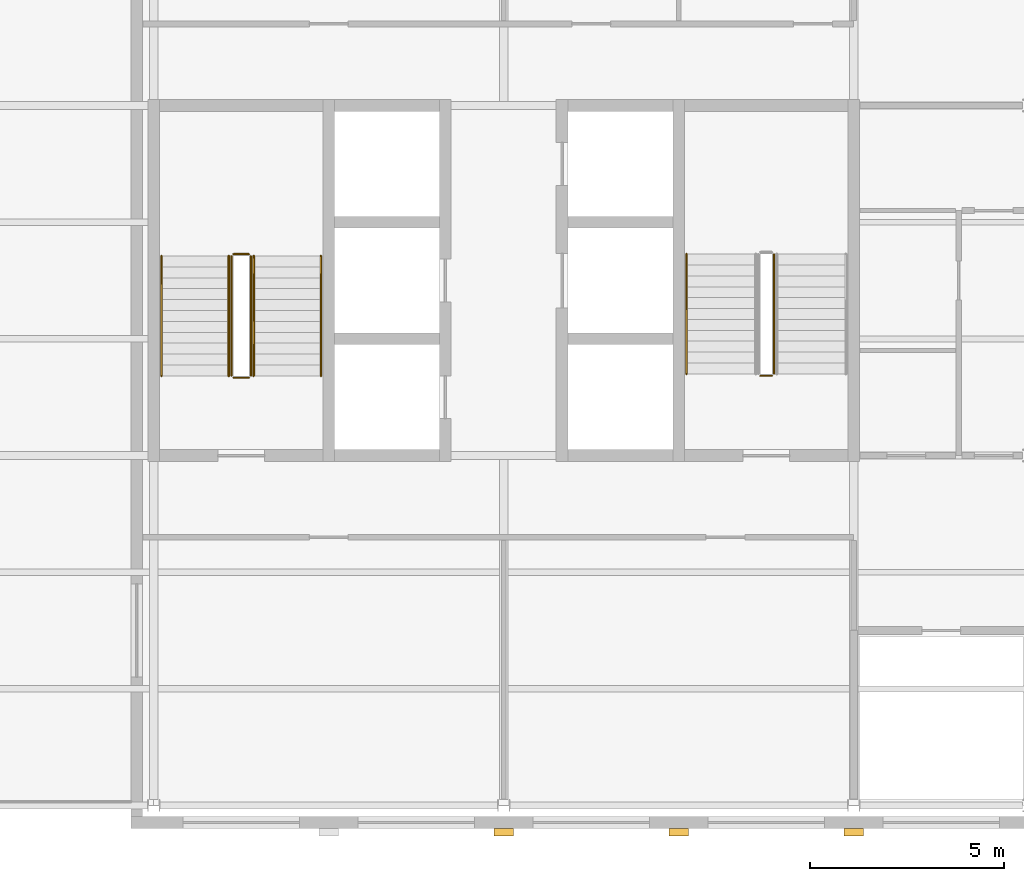
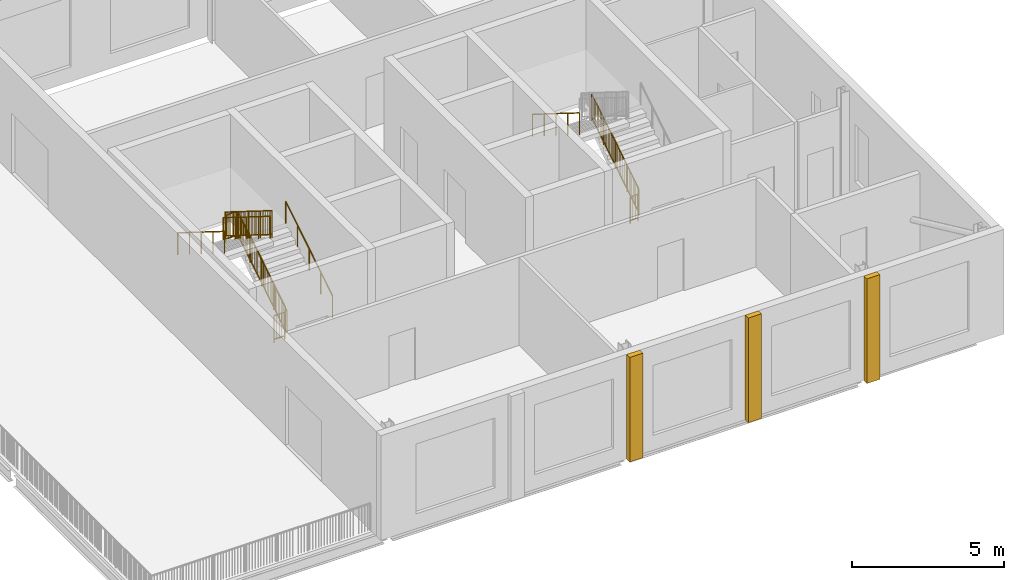
# One storey, part 6 of 7: 11 railings, 3 coverings.
"""IFC4 building model written with IfcOpenShell, lengths in metres."""

from ifc_helpers import new_model, si_unit, direction, frame, origin, origin_2d, place, context, subcontext, project, spatial, rectangle, circle, extrude, material, layer, layer_set, type_object, element, save


model = new_model("IFC4")

# Units and contexts
model_context = context("Model", 3, precision=1e-05, world=origin(), true_north=direction((0.0, 1.0)))
body_context = subcontext(model_context, "Body", "Model", "MODEL_VIEW")
ifc_project = project(units=[si_unit("LENGTHUNIT", "METRE"), si_unit("AREAUNIT", "SQUARE_METRE"), si_unit("VOLUMEUNIT", "CUBIC_METRE"), si_unit("PLANEANGLEUNIT", "RADIAN"), si_unit("MASSUNIT", "GRAM", prefix="KILO")], contexts=[model_context])

# Site, building, storey
site_placement = place(None, origin())
site = spatial("IfcSite", under=ifc_project, at=site_placement, CompositionType="ELEMENT")
building_placement = place(site_placement, origin())
building = spatial("IfcBuilding", under=site, at=building_placement, Name="Hortulan Conservatory and Botanical Research Centre", CompositionType="ELEMENT")
storey_placement = place(building_placement, frame((0.0, 0.0, 61.199951171875)))
storey = spatial("IfcBuildingStorey", under=building, at=storey_placement, Name="L14", CompositionType="ELEMENT", Elevation=61.199951171875)

# Railings
ifc_material_1 = material(Name="Steel balustrade, bronze-charcoal paint", Category="steel")
railing_type_1 = type_object("IfcRailingType", Name="Stair Guard 1100", PredefinedType="GUARDRAIL", material=ifc_material_1)
railing_1_placement = place(storey_placement, frame((11.5, 11.050048828125, 0.175048828125)))
element("IfcRailing", 1, at=railing_1_placement, inside=storey, type_object=railing_type_1, Name="Guard T1 L14 stair 1", PredefinedType="GUARDRAIL", context=body_context, shape_type="SweptSolid", body=[
    extrude(circle(Radius=0.02392578125, at=origin_2d()), frame((0.0, 0.0, 1.076171875), z_axis=(0.0, 0.847979421464, 0.530029150871), x_axis=(-1.0, 0.0, 0.0)), (0.0, 0.0, 1.0), 3.632080078125),
    extrude(circle(Radius=0.02392578125, at=origin_2d()), frame((0.0, 0.0, 0.1240234375), z_axis=(0.0, 0.847979421464, 0.530029150871), x_axis=(-1.0, 0.0, 0.0)), (0.0, 0.0, 1.0), 3.632080078125),
    extrude(circle(Radius=0.008056640625, at=origin_2d()), frame((0.0, 0.090576171875, 0.204833984375)), (0.0, 0.0, 1.0), 0.90380859375),
    extrude(circle(Radius=0.008056640625, at=origin_2d()), frame((0.0, 0.18115234375, 0.261474609375)), (0.0, 0.0, 1.0), 0.90380859375),
    extrude(circle(Radius=0.008056640625, at=origin_2d()), frame((0.0, 0.271728515625, 0.318115234375)), (0.0, 0.0, 1.0), 0.90380859375),
    extrude(circle(Radius=0.008056640625, at=origin_2d()), frame((0.0, 0.3623046875, 0.374755859375)), (0.0, 0.0, 1.0), 0.90380859375),
    extrude(circle(Radius=0.008056640625, at=origin_2d()), frame((0.0, 0.452880859375, 0.431396484375)), (0.0, 0.0, 1.0), 0.90380859375),
    extrude(circle(Radius=0.008056640625, at=origin_2d()), frame((0.0, 0.54345703125, 0.48779296875)), (0.0, 0.0, 1.0), 0.90380859375),
    extrude(circle(Radius=0.008056640625, at=origin_2d()), frame((0.0, 0.634033203125, 0.54443359375)), (0.0, 0.0, 1.0), 0.90380859375),
    extrude(circle(Radius=0.008056640625, at=origin_2d()), frame((0.0, 0.724609375, 0.60107421875)), (0.0, 0.0, 1.0), 0.90380859375),
    extrude(circle(Radius=0.008056640625, at=origin_2d()), frame((0.0, 0.815185546875, 0.65771484375)), (0.0, 0.0, 1.0), 0.90380859375),
    extrude(circle(Radius=0.008056640625, at=origin_2d()), frame((0.0, 0.90576171875, 0.71435546875)), (0.0, 0.0, 1.0), 0.90380859375),
    extrude(circle(Radius=0.008056640625, at=origin_2d()), frame((0.0, 0.996337890625, 0.77099609375)), (0.0, 0.0, 1.0), 0.90380859375),
    extrude(circle(Radius=0.008056640625, at=origin_2d()), frame((0.0, 1.0869140625, 0.82763671875)), (0.0, 0.0, 1.0), 0.90380859375),
    extrude(circle(Radius=0.008056640625, at=origin_2d()), frame((0.0, 1.177490234375, 0.88427734375)), (0.0, 0.0, 1.0), 0.90380859375),
    extrude(circle(Radius=0.008056640625, at=origin_2d()), frame((0.0, 1.26806640625, 0.94091796875)), (0.0, 0.0, 1.0), 0.90380859375),
    extrude(circle(Radius=0.008056640625, at=origin_2d()), frame((0.0, 1.358642578125, 0.99755859375)), (0.0, 0.0, 1.0), 0.90380859375),
    extrude(circle(Radius=0.008056640625, at=origin_2d()), frame((0.0, 1.44921875, 1.05419921875)), (0.0, 0.0, 1.0), 0.90380859375),
    extrude(circle(Radius=0.008056640625, at=origin_2d()), frame((0.0, 1.5400390625, 1.11083984375)), (0.0, 0.0, 1.0), 0.90380859375),
    extrude(circle(Radius=0.008056640625, at=origin_2d()), frame((0.0, 1.630615234375, 1.167236328125)), (0.0, 0.0, 1.0), 0.90380859375),
    extrude(circle(Radius=0.008056640625, at=origin_2d()), frame((0.0, 1.72119140625, 1.223876953125)), (0.0, 0.0, 1.0), 0.90380859375),
    extrude(circle(Radius=0.008056640625, at=origin_2d()), frame((0.0, 1.811767578125, 1.280517578125)), (0.0, 0.0, 1.0), 0.90380859375),
    extrude(circle(Radius=0.008056640625, at=origin_2d()), frame((0.0, 1.90234375, 1.337158203125)), (0.0, 0.0, 1.0), 0.90380859375),
    extrude(circle(Radius=0.008056640625, at=origin_2d()), frame((0.0, 1.992919921875, 1.393798828125)), (0.0, 0.0, 1.0), 0.90380859375),
    extrude(circle(Radius=0.008056640625, at=origin_2d()), frame((0.0, 2.08349609375, 1.450439453125)), (0.0, 0.0, 1.0), 0.90380859375),
    extrude(circle(Radius=0.008056640625, at=origin_2d()), frame((0.0, 2.174072265625, 1.507080078125)), (0.0, 0.0, 1.0), 0.90380859375),
    extrude(circle(Radius=0.008056640625, at=origin_2d()), frame((0.0, 2.2646484375, 1.563720703125)), (0.0, 0.0, 1.0), 0.90380859375),
    extrude(circle(Radius=0.008056640625, at=origin_2d()), frame((0.0, 2.355224609375, 1.620361328125)), (0.0, 0.0, 1.0), 0.90380859375),
    extrude(circle(Radius=0.008056640625, at=origin_2d()), frame((0.0, 2.44580078125, 1.677001953125)), (0.0, 0.0, 1.0), 0.90380859375),
    extrude(circle(Radius=0.008056640625, at=origin_2d()), frame((0.0, 2.536376953125, 1.733642578125)), (0.0, 0.0, 1.0), 0.90380859375),
    extrude(circle(Radius=0.008056640625, at=origin_2d()), frame((0.0, 2.626953125, 1.7900390625)), (0.0, 0.0, 1.0), 0.90380859375),
    extrude(circle(Radius=0.008056640625, at=origin_2d()), frame((0.0, 2.717529296875, 1.8466796875)), (0.0, 0.0, 1.0), 0.90380859375),
    extrude(circle(Radius=0.008056640625, at=origin_2d()), frame((0.0, 2.80810546875, 1.9033203125)), (0.0, 0.0, 1.0), 0.90380859375),
    extrude(circle(Radius=0.008056640625, at=origin_2d()), frame((0.0, 2.898681640625, 1.9599609375)), (0.0, 0.0, 1.0), 0.90380859375),
    extrude(circle(Radius=0.008056640625, at=origin_2d()), frame((0.0, 2.9892578125, 2.0166015625)), (0.0, 0.0, 1.0), 0.90380859375),
    extrude(circle(Radius=0.02099609375, at=origin_2d()), origin(), (0.0, 0.0, 1.0), 1.052001953125),
    extrude(circle(Radius=0.02099609375, at=origin_2d()), frame((0.0, 0.77001953125, 0.481201171875)), (0.0, 0.0, 1.0), 1.052001953125),
    extrude(circle(Radius=0.02099609375, at=origin_2d()), frame((0.0, 1.5400390625, 0.96240234375)), (0.0, 0.0, 1.0), 1.052001953125),
    extrude(circle(Radius=0.02099609375, at=origin_2d()), frame((0.0, 2.309814453125, 1.44384765625)), (0.0, 0.0, 1.0), 1.052001953125),
    extrude(circle(Radius=0.02099609375, at=origin_2d()), frame((0.0, 3.079833984375, 1.925048828125)), (0.0, 0.0, 1.0), 1.052001953125),
])
railing_2_placement = place(storey_placement, frame((11.449951171875, 14.179931640625, 2.10009765625)))
element("IfcRailing", 2, at=railing_2_placement, inside=storey, type_object=railing_type_1, Name="Guard T1 L14 stair 2", PredefinedType="GUARDRAIL", context=body_context, shape_type="SweptSolid", body=[
    extrude(circle(Radius=0.02392578125, at=origin_2d()), frame((0.0, 0.0, 1.076171875), z_axis=(-1.0, 0.0, 0.0), x_axis=(0.0, -1.0, 0.0)), (0.0, 0.0, 1.0), 0.39990234375),
    extrude(circle(Radius=0.02392578125, at=origin_2d()), frame((0.0, 0.0, 0.1240234375), z_axis=(-1.0, 0.0, 0.0), x_axis=(0.0, -1.0, 0.0)), (0.0, 0.0, 1.0), 0.39990234375),
    extrude(circle(Radius=0.008056640625, at=origin_2d()), frame((-0.10009765625, 0.0, 0.148193359375)), (0.0, 0.0, 1.0), 0.90380859375),
    extrude(circle(Radius=0.008056640625, at=origin_2d()), frame((-0.199951171875, 0.0, 0.148193359375)), (0.0, 0.0, 1.0), 0.90380859375),
    extrude(circle(Radius=0.008056640625, at=origin_2d()), frame((-0.2998046875, 0.0, 0.148193359375)), (0.0, 0.0, 1.0), 0.90380859375),
    extrude(circle(Radius=0.02099609375, at=origin_2d()), origin(), (0.0, 0.0, 1.0), 1.052001953125),
    extrude(circle(Radius=0.02099609375, at=origin_2d()), frame((-0.39990234375, 0.0, 0.0)), (0.0, 0.0, 1.0), 1.052001953125),
])
railing_3_placement = place(storey_placement, frame((11.0, 14.1298828125, 2.275146484375)))
element("IfcRailing", 3, at=railing_3_placement, inside=storey, type_object=railing_type_1, Name="Guard T1 L14 stair 3", PredefinedType="GUARDRAIL", context=body_context, shape_type="SweptSolid", body=[
    extrude(circle(Radius=0.02392578125, at=origin_2d()), frame((0.0, 0.0, 1.076171875), z_axis=(0.0, -0.848009633417, 0.529980812513), x_axis=(1.0, 0.0, 0.0)), (0.0, 0.0, 1.0), 3.6318359375),
    extrude(circle(Radius=0.02392578125, at=origin_2d()), frame((0.0, 0.0, 0.1240234375), z_axis=(0.0, -0.848009633417, 0.529980812513), x_axis=(1.0, 0.0, 0.0)), (0.0, 0.0, 1.0), 3.6318359375),
    extrude(circle(Radius=0.008056640625, at=origin_2d()), frame((0.0, -0.090576171875, 0.204833984375)), (0.0, 0.0, 1.0), 0.90380859375),
    extrude(circle(Radius=0.008056640625, at=origin_2d()), frame((0.0, -0.18115234375, 0.261474609375)), (0.0, 0.0, 1.0), 0.90380859375),
    extrude(circle(Radius=0.008056640625, at=origin_2d()), frame((0.0, -0.271728515625, 0.318115234375)), (0.0, 0.0, 1.0), 0.90380859375),
    extrude(circle(Radius=0.008056640625, at=origin_2d()), frame((0.0, -0.3623046875, 0.374755859375)), (0.0, 0.0, 1.0), 0.90380859375),
    extrude(circle(Radius=0.008056640625, at=origin_2d()), frame((0.0, -0.452880859375, 0.43115234375)), (0.0, 0.0, 1.0), 0.90380859375),
    extrude(circle(Radius=0.008056640625, at=origin_2d()), frame((0.0, -0.54345703125, 0.48779296875)), (0.0, 0.0, 1.0), 0.90380859375),
    extrude(circle(Radius=0.008056640625, at=origin_2d()), frame((0.0, -0.634033203125, 0.54443359375)), (0.0, 0.0, 1.0), 0.90380859375),
    extrude(circle(Radius=0.008056640625, at=origin_2d()), frame((0.0, -0.724609375, 0.60107421875)), (0.0, 0.0, 1.0), 0.90380859375),
    extrude(circle(Radius=0.008056640625, at=origin_2d()), frame((0.0, -0.815185546875, 0.65771484375)), (0.0, 0.0, 1.0), 0.90380859375),
    extrude(circle(Radius=0.008056640625, at=origin_2d()), frame((0.0, -0.90576171875, 0.71435546875)), (0.0, 0.0, 1.0), 0.90380859375),
    extrude(circle(Radius=0.008056640625, at=origin_2d()), frame((0.0, -0.996337890625, 0.77099609375)), (0.0, 0.0, 1.0), 0.90380859375),
    extrude(circle(Radius=0.008056640625, at=origin_2d()), frame((0.0, -1.0869140625, 0.82763671875)), (0.0, 0.0, 1.0), 0.90380859375),
    extrude(circle(Radius=0.008056640625, at=origin_2d()), frame((0.0, -1.177490234375, 0.884033203125)), (0.0, 0.0, 1.0), 0.90380859375),
    extrude(circle(Radius=0.008056640625, at=origin_2d()), frame((0.0, -1.26806640625, 0.940673828125)), (0.0, 0.0, 1.0), 0.90380859375),
    extrude(circle(Radius=0.008056640625, at=origin_2d()), frame((0.0, -1.358642578125, 0.997314453125)), (0.0, 0.0, 1.0), 0.90380859375),
    extrude(circle(Radius=0.008056640625, at=origin_2d()), frame((0.0, -1.44921875, 1.053955078125)), (0.0, 0.0, 1.0), 0.90380859375),
    extrude(circle(Radius=0.008056640625, at=origin_2d()), frame((0.0, -1.5400390625, 1.110595703125)), (0.0, 0.0, 1.0), 0.90380859375),
    extrude(circle(Radius=0.008056640625, at=origin_2d()), frame((0.0, -1.630615234375, 1.167236328125)), (0.0, 0.0, 1.0), 0.90380859375),
    extrude(circle(Radius=0.008056640625, at=origin_2d()), frame((0.0, -1.72119140625, 1.223876953125)), (0.0, 0.0, 1.0), 0.90380859375),
    extrude(circle(Radius=0.008056640625, at=origin_2d()), frame((0.0, -1.811767578125, 1.280517578125)), (0.0, 0.0, 1.0), 0.90380859375),
    extrude(circle(Radius=0.008056640625, at=origin_2d()), frame((0.0, -1.90234375, 1.337158203125)), (0.0, 0.0, 1.0), 0.90380859375),
    extrude(circle(Radius=0.008056640625, at=origin_2d()), frame((0.0, -1.992919921875, 1.3935546875)), (0.0, 0.0, 1.0), 0.90380859375),
    extrude(circle(Radius=0.008056640625, at=origin_2d()), frame((0.0, -2.08349609375, 1.4501953125)), (0.0, 0.0, 1.0), 0.90380859375),
    extrude(circle(Radius=0.008056640625, at=origin_2d()), frame((0.0, -2.174072265625, 1.5068359375)), (0.0, 0.0, 1.0), 0.90380859375),
    extrude(circle(Radius=0.008056640625, at=origin_2d()), frame((0.0, -2.2646484375, 1.5634765625)), (0.0, 0.0, 1.0), 0.90380859375),
    extrude(circle(Radius=0.008056640625, at=origin_2d()), frame((0.0, -2.355224609375, 1.6201171875)), (0.0, 0.0, 1.0), 0.90380859375),
    extrude(circle(Radius=0.008056640625, at=origin_2d()), frame((0.0, -2.44580078125, 1.6767578125)), (0.0, 0.0, 1.0), 0.90380859375),
    extrude(circle(Radius=0.008056640625, at=origin_2d()), frame((0.0, -2.536376953125, 1.7333984375)), (0.0, 0.0, 1.0), 0.90380859375),
    extrude(circle(Radius=0.008056640625, at=origin_2d()), frame((0.0, -2.626953125, 1.7900390625)), (0.0, 0.0, 1.0), 0.90380859375),
    extrude(circle(Radius=0.008056640625, at=origin_2d()), frame((0.0, -2.717529296875, 1.846435546875)), (0.0, 0.0, 1.0), 0.90380859375),
    extrude(circle(Radius=0.008056640625, at=origin_2d()), frame((0.0, -2.80810546875, 1.903076171875)), (0.0, 0.0, 1.0), 0.90380859375),
    extrude(circle(Radius=0.008056640625, at=origin_2d()), frame((0.0, -2.898681640625, 1.959716796875)), (0.0, 0.0, 1.0), 0.90380859375),
    extrude(circle(Radius=0.008056640625, at=origin_2d()), frame((0.0, -2.9892578125, 2.016357421875)), (0.0, 0.0, 1.0), 0.90380859375),
    extrude(circle(Radius=0.02099609375, at=origin_2d()), origin(), (0.0, 0.0, 1.0), 1.052001953125),
    extrude(circle(Radius=0.02099609375, at=origin_2d()), frame((0.0, -0.77001953125, 0.481201171875)), (0.0, 0.0, 1.0), 1.052001953125),
    extrude(circle(Radius=0.02099609375, at=origin_2d()), frame((0.0, -1.5400390625, 0.96240234375)), (0.0, 0.0, 1.0), 1.052001953125),
    extrude(circle(Radius=0.02099609375, at=origin_2d()), frame((0.0, -2.309814453125, 1.443603515625)), (0.0, 0.0, 1.0), 1.052001953125),
    extrude(circle(Radius=0.02099609375, at=origin_2d()), frame((0.0, -3.079833984375, 1.9248046875)), (0.0, 0.0, 1.0), 1.052001953125),
])
railing_4_placement = place(storey_placement, frame((11.449951171875, 11.0, 0.0)))
element("IfcRailing", 4, at=railing_4_placement, inside=storey, type_object=railing_type_1, Name="Guard T1 L14 stair 4", PredefinedType="GUARDRAIL", context=body_context, shape_type="SweptSolid", body=[
    extrude(circle(Radius=0.02392578125, at=origin_2d()), frame((0.0, 0.0, 1.076171875), z_axis=(-1.0, 0.0, 0.0), x_axis=(0.0, -1.0, 0.0)), (0.0, 0.0, 1.0), 0.39990234375),
    extrude(circle(Radius=0.02392578125, at=origin_2d()), frame((0.0, 0.0, 0.1240234375), z_axis=(-1.0, 0.0, 0.0), x_axis=(0.0, -1.0, 0.0)), (0.0, 0.0, 1.0), 0.39990234375),
    extrude(circle(Radius=0.008056640625, at=origin_2d()), frame((-0.10009765625, 0.0, 0.148193359375)), (0.0, 0.0, 1.0), 0.90380859375),
    extrude(circle(Radius=0.008056640625, at=origin_2d()), frame((-0.199951171875, 0.0, 0.148193359375)), (0.0, 0.0, 1.0), 0.90380859375),
    extrude(circle(Radius=0.008056640625, at=origin_2d()), frame((-0.2998046875, 0.0, 0.148193359375)), (0.0, 0.0, 1.0), 0.90380859375),
    extrude(circle(Radius=0.02099609375, at=origin_2d()), origin(), (0.0, 0.0, 1.0), 1.052001953125),
    extrude(circle(Radius=0.02099609375, at=origin_2d()), frame((-0.39990234375, 0.0, 0.0)), (0.0, 0.0, 1.0), 1.052001953125),
])
railing_5_placement = place(storey_placement, frame((24.949951171875, 11.10009765625, 0.175048828125)))
element("IfcRailing", 5, at=railing_5_placement, inside=storey, type_object=railing_type_1, Name="Guard T2 L14 stair 1", PredefinedType="GUARDRAIL", context=body_context, shape_type="SweptSolid", body=[
    extrude(circle(Radius=0.02392578125, at=origin_2d()), frame((0.0, 0.0, 1.076171875), z_axis=(0.0, 0.847979421464, 0.530029150871), x_axis=(-1.0, 0.0, 0.0)), (0.0, 0.0, 1.0), 3.632080078125),
    extrude(circle(Radius=0.02392578125, at=origin_2d()), frame((0.0, 0.0, 0.1240234375), z_axis=(0.0, 0.847979421464, 0.530029150871), x_axis=(-1.0, 0.0, 0.0)), (0.0, 0.0, 1.0), 3.632080078125),
    extrude(circle(Radius=0.008056640625, at=origin_2d()), frame((0.0, 0.090576171875, 0.204833984375)), (0.0, 0.0, 1.0), 0.90380859375),
    extrude(circle(Radius=0.008056640625, at=origin_2d()), frame((0.0, 0.18115234375, 0.261474609375)), (0.0, 0.0, 1.0), 0.90380859375),
    extrude(circle(Radius=0.008056640625, at=origin_2d()), frame((0.0, 0.271728515625, 0.318115234375)), (0.0, 0.0, 1.0), 0.90380859375),
    extrude(circle(Radius=0.008056640625, at=origin_2d()), frame((0.0, 0.3623046875, 0.374755859375)), (0.0, 0.0, 1.0), 0.90380859375),
    extrude(circle(Radius=0.008056640625, at=origin_2d()), frame((0.0, 0.452880859375, 0.431396484375)), (0.0, 0.0, 1.0), 0.90380859375),
    extrude(circle(Radius=0.008056640625, at=origin_2d()), frame((0.0, 0.54345703125, 0.48779296875)), (0.0, 0.0, 1.0), 0.90380859375),
    extrude(circle(Radius=0.008056640625, at=origin_2d()), frame((0.0, 0.634033203125, 0.54443359375)), (0.0, 0.0, 1.0), 0.90380859375),
    extrude(circle(Radius=0.008056640625, at=origin_2d()), frame((0.0, 0.724609375, 0.60107421875)), (0.0, 0.0, 1.0), 0.90380859375),
    extrude(circle(Radius=0.008056640625, at=origin_2d()), frame((0.0, 0.815185546875, 0.65771484375)), (0.0, 0.0, 1.0), 0.90380859375),
    extrude(circle(Radius=0.008056640625, at=origin_2d()), frame((0.0, 0.90576171875, 0.71435546875)), (0.0, 0.0, 1.0), 0.90380859375),
    extrude(circle(Radius=0.008056640625, at=origin_2d()), frame((0.0, 0.996337890625, 0.77099609375)), (0.0, 0.0, 1.0), 0.90380859375),
    extrude(circle(Radius=0.008056640625, at=origin_2d()), frame((0.0, 1.0869140625, 0.82763671875)), (0.0, 0.0, 1.0), 0.90380859375),
    extrude(circle(Radius=0.008056640625, at=origin_2d()), frame((0.0, 1.177490234375, 0.88427734375)), (0.0, 0.0, 1.0), 0.90380859375),
    extrude(circle(Radius=0.008056640625, at=origin_2d()), frame((0.0, 1.26806640625, 0.94091796875)), (0.0, 0.0, 1.0), 0.90380859375),
    extrude(circle(Radius=0.008056640625, at=origin_2d()), frame((0.0, 1.358642578125, 0.99755859375)), (0.0, 0.0, 1.0), 0.90380859375),
    extrude(circle(Radius=0.008056640625, at=origin_2d()), frame((0.0, 1.44921875, 1.05419921875)), (0.0, 0.0, 1.0), 0.90380859375),
    extrude(circle(Radius=0.008056640625, at=origin_2d()), frame((0.0, 1.5400390625, 1.11083984375)), (0.0, 0.0, 1.0), 0.90380859375),
    extrude(circle(Radius=0.008056640625, at=origin_2d()), frame((0.0, 1.630615234375, 1.167236328125)), (0.0, 0.0, 1.0), 0.90380859375),
    extrude(circle(Radius=0.008056640625, at=origin_2d()), frame((0.0, 1.72119140625, 1.223876953125)), (0.0, 0.0, 1.0), 0.90380859375),
    extrude(circle(Radius=0.008056640625, at=origin_2d()), frame((0.0, 1.811767578125, 1.280517578125)), (0.0, 0.0, 1.0), 0.90380859375),
    extrude(circle(Radius=0.008056640625, at=origin_2d()), frame((0.0, 1.90234375, 1.337158203125)), (0.0, 0.0, 1.0), 0.90380859375),
    extrude(circle(Radius=0.008056640625, at=origin_2d()), frame((0.0, 1.992919921875, 1.393798828125)), (0.0, 0.0, 1.0), 0.90380859375),
    extrude(circle(Radius=0.008056640625, at=origin_2d()), frame((0.0, 2.08349609375, 1.450439453125)), (0.0, 0.0, 1.0), 0.90380859375),
    extrude(circle(Radius=0.008056640625, at=origin_2d()), frame((0.0, 2.174072265625, 1.507080078125)), (0.0, 0.0, 1.0), 0.90380859375),
    extrude(circle(Radius=0.008056640625, at=origin_2d()), frame((0.0, 2.2646484375, 1.563720703125)), (0.0, 0.0, 1.0), 0.90380859375),
    extrude(circle(Radius=0.008056640625, at=origin_2d()), frame((0.0, 2.355224609375, 1.620361328125)), (0.0, 0.0, 1.0), 0.90380859375),
    extrude(circle(Radius=0.008056640625, at=origin_2d()), frame((0.0, 2.44580078125, 1.677001953125)), (0.0, 0.0, 1.0), 0.90380859375),
    extrude(circle(Radius=0.008056640625, at=origin_2d()), frame((0.0, 2.536376953125, 1.733642578125)), (0.0, 0.0, 1.0), 0.90380859375),
    extrude(circle(Radius=0.008056640625, at=origin_2d()), frame((0.0, 2.626953125, 1.7900390625)), (0.0, 0.0, 1.0), 0.90380859375),
    extrude(circle(Radius=0.008056640625, at=origin_2d()), frame((0.0, 2.717529296875, 1.8466796875)), (0.0, 0.0, 1.0), 0.90380859375),
    extrude(circle(Radius=0.008056640625, at=origin_2d()), frame((0.0, 2.80810546875, 1.9033203125)), (0.0, 0.0, 1.0), 0.90380859375),
    extrude(circle(Radius=0.008056640625, at=origin_2d()), frame((0.0, 2.898681640625, 1.9599609375)), (0.0, 0.0, 1.0), 0.90380859375),
    extrude(circle(Radius=0.008056640625, at=origin_2d()), frame((0.0, 2.9892578125, 2.0166015625)), (0.0, 0.0, 1.0), 0.90380859375),
    extrude(circle(Radius=0.02099609375, at=origin_2d()), origin(), (0.0, 0.0, 1.0), 1.052001953125),
    extrude(circle(Radius=0.02099609375, at=origin_2d()), frame((0.0, 0.77001953125, 0.481201171875)), (0.0, 0.0, 1.0), 1.052001953125),
    extrude(circle(Radius=0.02099609375, at=origin_2d()), frame((0.0, 1.5400390625, 0.96240234375)), (0.0, 0.0, 1.0), 1.052001953125),
    extrude(circle(Radius=0.02099609375, at=origin_2d()), frame((0.0, 2.309814453125, 1.44384765625)), (0.0, 0.0, 1.0), 1.052001953125),
    extrude(circle(Radius=0.02099609375, at=origin_2d()), frame((0.0, 3.079833984375, 1.925048828125)), (0.0, 0.0, 1.0), 1.052001953125),
])
railing_6_placement = place(storey_placement, frame((24.89990234375, 11.050048828125, 0.0)))
element("IfcRailing", 6, at=railing_6_placement, inside=storey, type_object=railing_type_1, Name="Guard T2 L14 stair 4", PredefinedType="GUARDRAIL", context=body_context, shape_type="SweptSolid", body=[
    extrude(circle(Radius=0.02392578125, at=origin_2d()), frame((0.0, 0.0, 1.076171875), z_axis=(-1.0, 0.0, 0.0), x_axis=(0.0, -1.0, 0.0)), (0.0, 0.0, 1.0), 0.2998046875),
    extrude(circle(Radius=0.02392578125, at=origin_2d()), frame((0.0, 0.0, 0.1240234375), z_axis=(-1.0, 0.0, 0.0), x_axis=(0.0, -1.0, 0.0)), (0.0, 0.0, 1.0), 0.2998046875),
    extrude(circle(Radius=0.008056640625, at=origin_2d()), frame((-0.099853515625, 0.0, 0.148193359375)), (0.0, 0.0, 1.0), 0.90380859375),
    extrude(circle(Radius=0.008056640625, at=origin_2d()), frame((-0.199951171875, 0.0, 0.148193359375)), (0.0, 0.0, 1.0), 0.90380859375),
    extrude(circle(Radius=0.02099609375, at=origin_2d()), origin(), (0.0, 0.0, 1.0), 1.052001953125),
    extrude(circle(Radius=0.02099609375, at=origin_2d()), frame((-0.2998046875, 0.0, 0.0)), (0.0, 0.0, 1.0), 1.052001953125),
])
ifc_material_2 = material(Name="Bronze handrail, polished", Category="metal")
railing_type_2 = type_object("IfcRailingType", Name="Stair Handrail 900", PredefinedType="HANDRAIL", material=ifc_material_2)
railing_7_placement = place(storey_placement, frame((13.300048828125, 11.050048828125, 0.175048828125)))
element("IfcRailing", 7, at=railing_7_placement, inside=storey, type_object=railing_type_2, Name="Handrail T1 L14 stair 1", PredefinedType="HANDRAIL", context=body_context, shape_type="SweptSolid", body=[
    extrude(circle(Radius=0.02392578125, at=origin_2d()), frame((0.0, 0.0, 0.8759765625), z_axis=(0.0, 0.847979421464, 0.530029150871), x_axis=(-1.0, 0.0, 0.0)), (0.0, 0.0, 1.0), 3.632080078125),
    extrude(circle(Radius=0.02099609375, at=origin_2d()), origin(), (0.0, 0.0, 1.0), 0.851806640625),
    extrude(circle(Radius=0.02099609375, at=origin_2d()), frame((0.0, 0.77001953125, 0.481201171875)), (0.0, 0.0, 1.0), 0.851806640625),
    extrude(circle(Radius=0.02099609375, at=origin_2d()), frame((0.0, 1.5400390625, 0.96240234375)), (0.0, 0.0, 1.0), 0.851806640625),
    extrude(circle(Radius=0.02099609375, at=origin_2d()), frame((0.0, 2.309814453125, 1.44384765625)), (0.0, 0.0, 1.0), 0.851806640625),
    extrude(circle(Radius=0.02099609375, at=origin_2d()), frame((0.0, 3.079833984375, 1.925048828125)), (0.0, 0.0, 1.0), 0.851806640625),
])
railing_8_placement = place(storey_placement, frame((9.199951171875, 14.1298828125, 2.275146484375)))
element("IfcRailing", 8, at=railing_8_placement, inside=storey, type_object=railing_type_2, Name="Handrail T1 L14 stair 2", PredefinedType="HANDRAIL", context=body_context, shape_type="SweptSolid", body=[
    extrude(circle(Radius=0.02392578125, at=origin_2d()), frame((0.0, 0.0, 0.8759765625), z_axis=(0.0, -0.848009633417, 0.529980812513), x_axis=(1.0, 0.0, 0.0)), (0.0, 0.0, 1.0), 3.6318359375),
    extrude(circle(Radius=0.02099609375, at=origin_2d()), origin(), (0.0, 0.0, 1.0), 0.851806640625),
    extrude(circle(Radius=0.02099609375, at=origin_2d()), frame((0.0, -0.77001953125, 0.481201171875)), (0.0, 0.0, 1.0), 0.851806640625),
    extrude(circle(Radius=0.02099609375, at=origin_2d()), frame((0.0, -1.5400390625, 0.96240234375)), (0.0, 0.0, 1.0), 0.851806640625),
    extrude(circle(Radius=0.02099609375, at=origin_2d()), frame((0.0, -2.309814453125, 1.443603515625)), (0.0, 0.0, 1.0), 0.851806640625),
    extrude(circle(Radius=0.02099609375, at=origin_2d()), frame((0.0, -3.079833984375, 1.9248046875)), (0.0, 0.0, 1.0), 0.851806640625),
])
railing_9_placement = place(storey_placement, frame((11.570068359375, 11.050048828125, 0.175048828125)))
element("IfcRailing", 9, at=railing_9_placement, inside=storey, type_object=railing_type_2, Name="Handrail T1 L14 stair 3", PredefinedType="HANDRAIL", context=body_context, shape_type="SweptSolid", body=[
    extrude(circle(Radius=0.02392578125, at=origin_2d()), frame((0.0, 0.0, 0.8759765625), z_axis=(0.0, 0.847979421464, 0.530029150871), x_axis=(-1.0, 0.0, 0.0)), (0.0, 0.0, 1.0), 3.632080078125),
    extrude(circle(Radius=0.02099609375, at=origin_2d()), origin(), (0.0, 0.0, 1.0), 0.851806640625),
    extrude(circle(Radius=0.02099609375, at=origin_2d()), frame((0.0, 0.77001953125, 0.481201171875)), (0.0, 0.0, 1.0), 0.851806640625),
    extrude(circle(Radius=0.02099609375, at=origin_2d()), frame((0.0, 1.5400390625, 0.96240234375)), (0.0, 0.0, 1.0), 0.851806640625),
    extrude(circle(Radius=0.02099609375, at=origin_2d()), frame((0.0, 2.309814453125, 1.44384765625)), (0.0, 0.0, 1.0), 0.851806640625),
    extrude(circle(Radius=0.02099609375, at=origin_2d()), frame((0.0, 3.079833984375, 1.925048828125)), (0.0, 0.0, 1.0), 0.851806640625),
])
for number, where, name in (
    (10, (10.929931640625, 14.1298828125, 2.275146484375), "Handrail T1 L14 stair 4"),
    (11, (22.699951171875, 14.179931640625, 2.275146484375), "Handrail T2 L14 stair 2"),
):
    element("IfcRailing", number, at=place(storey_placement, frame(where)), inside=storey, type_object=railing_type_2, Name=name, PredefinedType="HANDRAIL", context=body_context, shape_type="SweptSolid", body=[
        extrude(circle(Radius=0.02392578125, at=origin_2d()), frame((0.0, 0.0, 0.8759765625), z_axis=(0.0, -0.848009633417, 0.529980812513), x_axis=(1.0, 0.0, 0.0)), (0.0, 0.0, 1.0), 3.6318359375),
        extrude(circle(Radius=0.02099609375, at=origin_2d()), origin(), (0.0, 0.0, 1.0), 0.851806640625),
        extrude(circle(Radius=0.02099609375, at=origin_2d()), frame((0.0, -0.77001953125, 0.481201171875)), (0.0, 0.0, 1.0), 0.851806640625),
        extrude(circle(Radius=0.02099609375, at=origin_2d()), frame((0.0, -1.5400390625, 0.96240234375)), (0.0, 0.0, 1.0), 0.851806640625),
        extrude(circle(Radius=0.02099609375, at=origin_2d()), frame((0.0, -2.309814453125, 1.443603515625)), (0.0, 0.0, 1.0), 0.851806640625),
        extrude(circle(Radius=0.02099609375, at=origin_2d()), frame((0.0, -3.079833984375, 1.9248046875)), (0.0, 0.0, 1.0), 0.851806640625),
    ])

# Coverings
ifc_material_3 = material(Name="Verdigris copper-green zinc cladding on lightweight framing", Category="metal")
ifc_layer = layer(ifc_material_3, 0.199951171875)
ifc_layer_set = layer_set([ifc_layer], Name="Verdigris Zinc Pilaster 500x200")
covering_type = type_object("IfcCoveringType", Name="Verdigris Zinc Pilaster 500x200", PredefinedType="CLADDING", material=ifc_layer_set)
for number, where, z_axis, x_axis, name in (
    (12, (27.0, -0.68603515625, 0.0), (0.0, 0.0, 1.0), (-1.0, 0.0, 0.0), "Pier"),
    (13, (22.5, -0.68603515625, 0.0), (0.0, 0.0, 1.0), (-1.0, 0.0, 0.0), "Pier"),
    (14, (18.0, -0.68603515625, 0.0), (0.0, 0.0, 1.0), (-1.0, 0.0, 0.0), "Pier"),
):
    element("IfcCovering", number, at=place(storey_placement, frame(where, z_axis=z_axis, x_axis=x_axis)), inside=storey, type_object=covering_type, Name=name, PredefinedType="CLADDING", context=body_context, shape_type="SweptSolid", body=[
        extrude(rectangle(XDim=0.5, YDim=0.199951171875, at=origin_2d()), origin(), (0.0, 0.0, 1.0), 4.199951171875),
    ])

save(model, "model.ifc")
